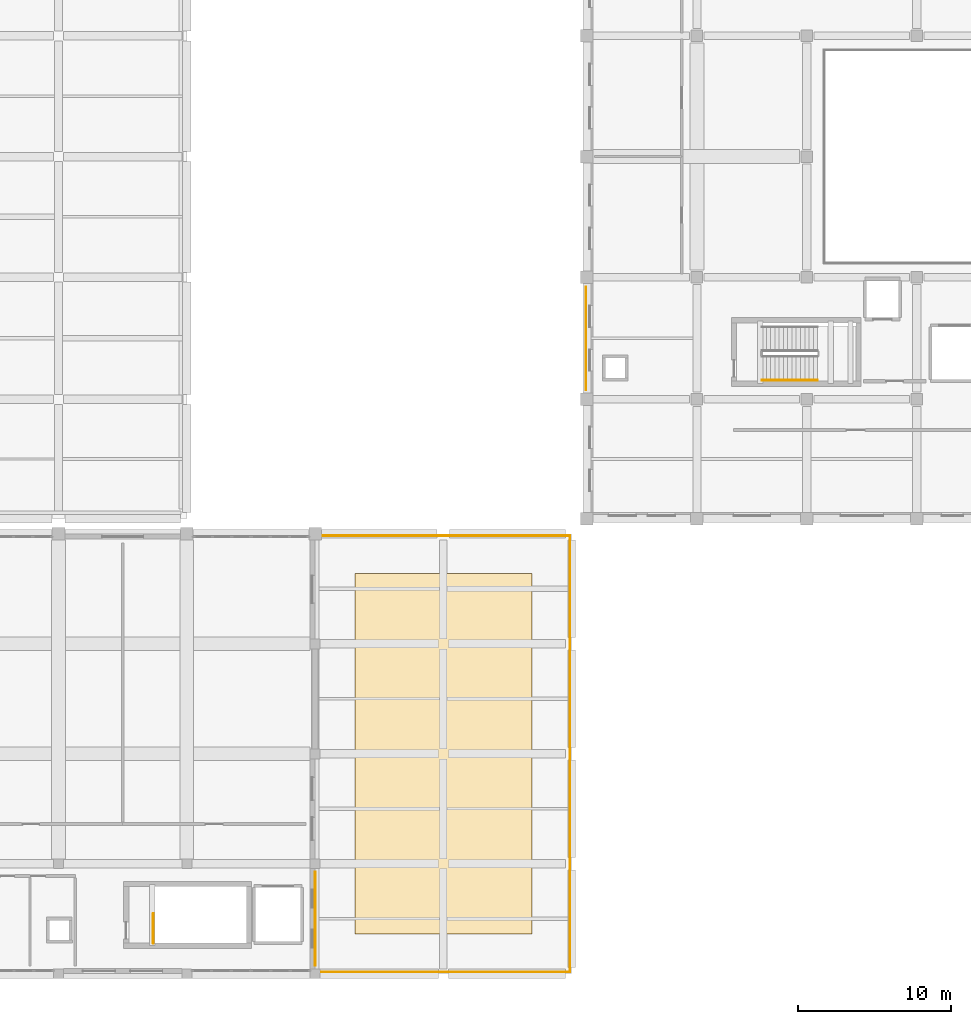
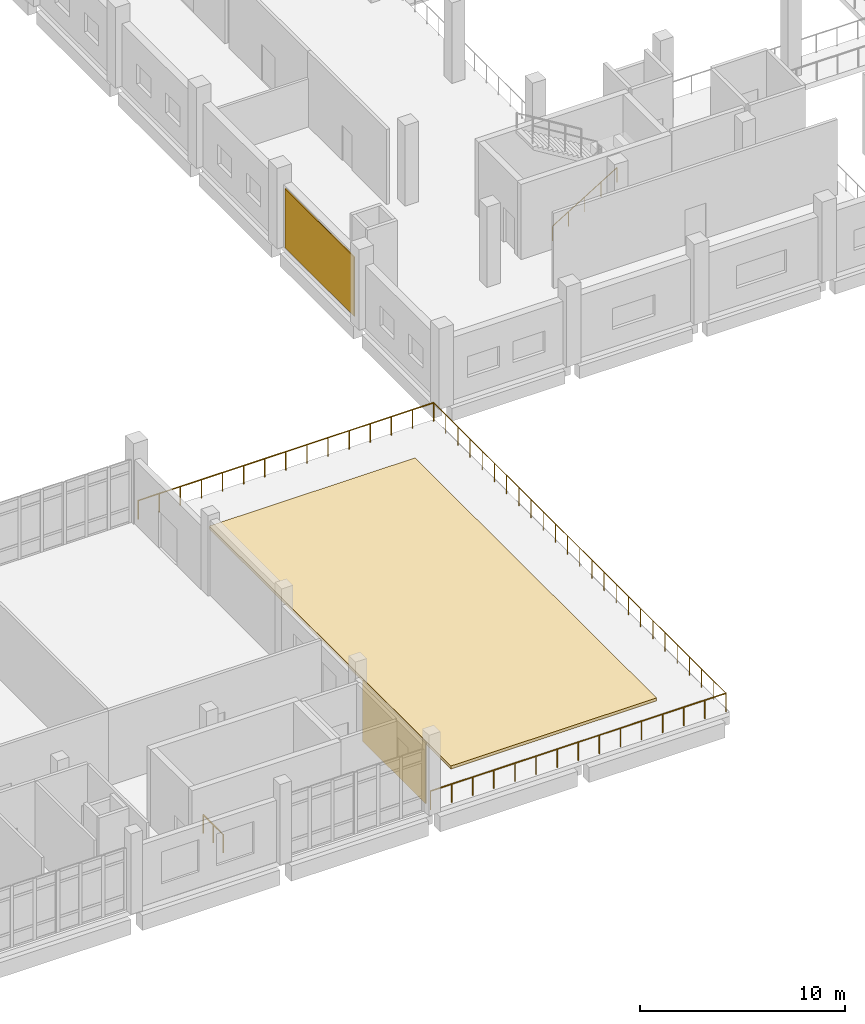
# One storey, part 62 of 73: 5 railings, 3 coverings.
"""IFC4 building model written with IfcOpenShell, lengths in metres."""

from ifc_helpers import new_model, si_unit, direction, frame, origin, origin_2d, place, context, subcontext, project, spatial, polyline, rectangle, circle, outline, extrude, material, layer, layer_set, type_object, element, save


model = new_model("IFC4")

# Units and contexts
model_context = context("Model", 3, precision=1e-05, world=origin(), true_north=direction((0.0, 1.0)))
body_context = subcontext(model_context, "Body", "Model", "MODEL_VIEW")
ifc_project = project(units=[si_unit("LENGTHUNIT", "METRE"), si_unit("AREAUNIT", "SQUARE_METRE"), si_unit("VOLUMEUNIT", "CUBIC_METRE"), si_unit("PLANEANGLEUNIT", "RADIAN"), si_unit("MASSUNIT", "GRAM", prefix="KILO")], contexts=[model_context])

# Site, building, storey
site_placement = place(None, origin())
site = spatial("IfcSite", under=ifc_project, at=site_placement, CompositionType="ELEMENT")
building_placement = place(site_placement, origin())
building = spatial("IfcBuilding", under=site, at=building_placement, Name="Kelarvand Opera House", CompositionType="ELEMENT")
storey_placement = place(building_placement, frame((0.0, 0.0, 10.199951171875)))
storey = spatial("IfcBuildingStorey", under=building, at=storey_placement, Name="L02", CompositionType="ELEMENT", Elevation=10.199951171875)

# Coverings
ifc_material_1 = material(Name="Azarshahr buff travertine stone panels", Category="masonry")
ifc_layer_1 = layer(ifc_material_1, 0.06005859375, Name="Azarshahr buff travertine stone panels", Category="masonry")
ifc_layer_set_1 = layer_set([ifc_layer_1], Name="Azarshahr buff travertine stone panels")
covering_type_1 = type_object("IfcCoveringType", Name="Azarshahr Honed Travertine Rainscreen Cladding 60mm", PredefinedType="CLADDING", material=ifc_layer_set_1)
covering_1_placement = place(storey_placement, frame((51.93408203125, 50.60009765625, 0.10009765625), z_axis=(0.0, 0.0, 1.0), x_axis=(0.0, 1.0, 0.0)))
element("IfcCovering", 1, at=covering_1_placement, inside=storey, type_object=covering_type_1, Name="V2 Travertine Facade Cladding 9", PredefinedType="CLADDING", context=body_context, shape_type="SweptSolid", body=[
    extrude(rectangle(XDim=6.780029296875, YDim=0.06005859375, at=origin_2d()), origin(), (0.0, 0.0, 1.0), 3.52197265625),
])
covering_2_placement = place(storey_placement, frame((34.2060546875, 12.60009765625, 0.10009765625), z_axis=(0.0, 0.0, 1.0), x_axis=(0.0, -1.0, 0.0)))
element("IfcCovering", 2, at=covering_2_placement, inside=storey, type_object=covering_type_1, Name="V4 Travertine Facade Cladding 20", PredefinedType="CLADDING", context=body_context, shape_type="SweptSolid", body=[
    extrude(rectangle(XDim=6.14990234375, YDim=0.06005859375, at=origin_2d()), origin(), (0.0, 0.0, 1.0), 3.6220703125),
])

# Railings
ifc_material_2 = material(Name="Brushed bronze tubular rail")
railing_type_1 = type_object("IfcRailingType", Name="Brushed Bronze Stair Wall Handrail 900", PredefinedType="HANDRAIL", material=ifc_material_2)
railing_1_placement = place(storey_placement, frame((63.4599609375, 47.85009765625, 0.17138671875)))
element("IfcRailing", 3, at=railing_1_placement, inside=storey, type_object=railing_type_1, Name="L02 ST-02 stair handrail 1", PredefinedType="HANDRAIL", context=body_context, shape_type="SweptSolid", body=[
    extrude(circle(Radius=0.02392578125, at=origin_2d()), frame((0.0, 0.0, 0.8759765625), z_axis=(0.852840387347, 0.0, 0.522171689878), x_axis=(0.0, 1.0, 0.0)), (0.0, 0.0, 1.0), 4.268310546875),
    extrude(circle(Radius=0.02099609375, at=origin_2d()), origin(), (0.0, 0.0, 1.0), 0.851806640625),
    extrude(circle(Radius=0.02099609375, at=origin_2d()), frame((0.91015625, 0.0, 0.55712890625)), (0.0, 0.0, 1.0), 0.851806640625),
    extrude(circle(Radius=0.02099609375, at=origin_2d()), frame((1.820068359375, 0.0, 1.1142578125)), (0.0, 0.0, 1.0), 0.851806640625),
    extrude(circle(Radius=0.02099609375, at=origin_2d()), frame((2.72998046875, 0.0, 1.671630859375)), (0.0, 0.0, 1.0), 0.851806640625),
    extrude(circle(Radius=0.02099609375, at=origin_2d()), frame((3.64013671875, 0.0, 2.228759765625)), (0.0, 0.0, 1.0), 0.851806640625),
])
ifc_material_3 = material(Name="Laminated safety glass with bronze cap rail", Category="glass")
railing_type_2 = type_object("IfcRailingType", Name="Laminated Glass and Bronze Foyer Balustrade 1120", PredefinedType="BALUSTRADE", material=ifc_material_3)
railing_2_placement = place(storey_placement, frame((34.219970703125, 9.1201171875, 0.0)))
element("IfcRailing", 4, at=railing_2_placement, inside=storey, type_object=railing_type_2, Name="V4 L02 Balustrade 1", PredefinedType="BALUSTRADE", context=body_context, shape_type="SweptSolid", body=[
    extrude(circle(Radius=0.02392578125, at=origin_2d()), frame((0.0, 0.0, 1.09619140625), z_axis=(1.0, 0.0, 0.0), x_axis=(0.0, 1.0, 0.0)), (0.0, 0.0, 1.0), 16.659912109375),
    extrude(circle(Radius=0.02099609375, at=origin_2d()), origin(), (0.0, 0.0, 1.0), 1.072021484375),
    extrude(circle(Radius=0.02099609375, at=origin_2d()), frame((1.18994140625, 0.0, 0.0)), (0.0, 0.0, 1.0), 1.072021484375),
    extrude(circle(Radius=0.02099609375, at=origin_2d()), frame((2.3798828125, 0.0, 0.0)), (0.0, 0.0, 1.0), 1.072021484375),
    extrude(circle(Radius=0.02099609375, at=origin_2d()), frame((3.570068359375, 0.0, 0.0)), (0.0, 0.0, 1.0), 1.072021484375),
    extrude(circle(Radius=0.02099609375, at=origin_2d()), frame((4.760009765625, 0.0, 0.0)), (0.0, 0.0, 1.0), 1.072021484375),
    extrude(circle(Radius=0.02099609375, at=origin_2d()), frame((5.949951171875, 0.0, 0.0)), (0.0, 0.0, 1.0), 1.072021484375),
    extrude(circle(Radius=0.02099609375, at=origin_2d()), frame((7.139892578125, 0.0, 0.0)), (0.0, 0.0, 1.0), 1.072021484375),
    extrude(circle(Radius=0.02099609375, at=origin_2d()), frame((8.330078125, 0.0, 0.0)), (0.0, 0.0, 1.0), 1.072021484375),
    extrude(circle(Radius=0.02099609375, at=origin_2d()), frame((9.52001953125, 0.0, 0.0)), (0.0, 0.0, 1.0), 1.072021484375),
    extrude(circle(Radius=0.02099609375, at=origin_2d()), frame((10.7099609375, 0.0, 0.0)), (0.0, 0.0, 1.0), 1.072021484375),
    extrude(circle(Radius=0.02099609375, at=origin_2d()), frame((11.89990234375, 0.0, 0.0)), (0.0, 0.0, 1.0), 1.072021484375),
    extrude(circle(Radius=0.02099609375, at=origin_2d()), frame((13.08984375, 0.0, 0.0)), (0.0, 0.0, 1.0), 1.072021484375),
    extrude(circle(Radius=0.02099609375, at=origin_2d()), frame((14.280029296875, 0.0, 0.0)), (0.0, 0.0, 1.0), 1.072021484375),
    extrude(circle(Radius=0.02099609375, at=origin_2d()), frame((15.469970703125, 0.0, 0.0)), (0.0, 0.0, 1.0), 1.072021484375),
    extrude(circle(Radius=0.02099609375, at=origin_2d()), frame((16.659912109375, 0.0, 0.0)), (0.0, 0.0, 1.0), 1.072021484375),
])
railing_3_placement = place(storey_placement, frame((50.8798828125, 9.1201171875, 0.0)))
element("IfcRailing", 5, at=railing_3_placement, inside=storey, type_object=railing_type_2, Name="V4 L02 Balustrade 2", PredefinedType="BALUSTRADE", context=body_context, shape_type="SweptSolid", body=[
    extrude(circle(Radius=0.02392578125, at=origin_2d()), frame((0.0, 0.0, 1.09619140625), z_axis=(0.0, 1.0, 0.0), x_axis=(-1.0, 0.0, 0.0)), (0.0, 0.0, 1.0), 28.559814453125),
    extrude(circle(Radius=0.02099609375, at=origin_2d()), origin(), (0.0, 0.0, 1.0), 1.072021484375),
    extrude(circle(Radius=0.02099609375, at=origin_2d()), frame((0.0, 1.18994140625, 0.0)), (0.0, 0.0, 1.0), 1.072021484375),
    extrude(circle(Radius=0.02099609375, at=origin_2d()), frame((0.0, 2.3798828125, 0.0)), (0.0, 0.0, 1.0), 1.072021484375),
    extrude(circle(Radius=0.02099609375, at=origin_2d()), frame((0.0, 3.570068359375, 0.0)), (0.0, 0.0, 1.0), 1.072021484375),
    extrude(circle(Radius=0.02099609375, at=origin_2d()), frame((0.0, 4.760009765625, 0.0)), (0.0, 0.0, 1.0), 1.072021484375),
    extrude(circle(Radius=0.02099609375, at=origin_2d()), frame((0.0, 5.949951171875, 0.0)), (0.0, 0.0, 1.0), 1.072021484375),
    extrude(circle(Radius=0.02099609375, at=origin_2d()), frame((0.0, 7.139892578125, 0.0)), (0.0, 0.0, 1.0), 1.072021484375),
    extrude(circle(Radius=0.02099609375, at=origin_2d()), frame((0.0, 8.329833984375, 0.0)), (0.0, 0.0, 1.0), 1.072021484375),
    extrude(circle(Radius=0.02099609375, at=origin_2d()), frame((0.0, 9.52001953125, 0.0)), (0.0, 0.0, 1.0), 1.072021484375),
    extrude(circle(Radius=0.02099609375, at=origin_2d()), frame((0.0, 10.7099609375, 0.0)), (0.0, 0.0, 1.0), 1.072021484375),
    extrude(circle(Radius=0.02099609375, at=origin_2d()), frame((0.0, 11.89990234375, 0.0)), (0.0, 0.0, 1.0), 1.072021484375),
    extrude(circle(Radius=0.02099609375, at=origin_2d()), frame((0.0, 13.08984375, 0.0)), (0.0, 0.0, 1.0), 1.072021484375),
    extrude(circle(Radius=0.02099609375, at=origin_2d()), frame((0.0, 14.27978515625, 0.0)), (0.0, 0.0, 1.0), 1.072021484375),
    extrude(circle(Radius=0.02099609375, at=origin_2d()), frame((0.0, 15.469970703125, 0.0)), (0.0, 0.0, 1.0), 1.072021484375),
    extrude(circle(Radius=0.02099609375, at=origin_2d()), frame((0.0, 16.659912109375, 0.0)), (0.0, 0.0, 1.0), 1.072021484375),
    extrude(circle(Radius=0.02099609375, at=origin_2d()), frame((0.0, 17.849853515625, 0.0)), (0.0, 0.0, 1.0), 1.072021484375),
    extrude(circle(Radius=0.02099609375, at=origin_2d()), frame((0.0, 19.039794921875, 0.0)), (0.0, 0.0, 1.0), 1.072021484375),
    extrude(circle(Radius=0.02099609375, at=origin_2d()), frame((0.0, 20.22998046875, 0.0)), (0.0, 0.0, 1.0), 1.072021484375),
    extrude(circle(Radius=0.02099609375, at=origin_2d()), frame((0.0, 21.419921875, 0.0)), (0.0, 0.0, 1.0), 1.072021484375),
    extrude(circle(Radius=0.02099609375, at=origin_2d()), frame((0.0, 22.60986328125, 0.0)), (0.0, 0.0, 1.0), 1.072021484375),
    extrude(circle(Radius=0.02099609375, at=origin_2d()), frame((0.0, 23.7998046875, 0.0)), (0.0, 0.0, 1.0), 1.072021484375),
    extrude(circle(Radius=0.02099609375, at=origin_2d()), frame((0.0, 24.98974609375, 0.0)), (0.0, 0.0, 1.0), 1.072021484375),
    extrude(circle(Radius=0.02099609375, at=origin_2d()), frame((0.0, 26.179931640625, 0.0)), (0.0, 0.0, 1.0), 1.072021484375),
    extrude(circle(Radius=0.02099609375, at=origin_2d()), frame((0.0, 27.369873046875, 0.0)), (0.0, 0.0, 1.0), 1.072021484375),
    extrude(circle(Radius=0.02099609375, at=origin_2d()), frame((0.0, 28.559814453125, 0.0)), (0.0, 0.0, 1.0), 1.072021484375),
])
railing_4_placement = place(storey_placement, frame((50.8798828125, 37.679931640625, 0.0)))
element("IfcRailing", 6, at=railing_4_placement, inside=storey, type_object=railing_type_2, Name="V4 L02 Balustrade 3", PredefinedType="BALUSTRADE", context=body_context, shape_type="SweptSolid", body=[
    extrude(circle(Radius=0.02392578125, at=origin_2d()), frame((0.0, 0.0, 1.09619140625), z_axis=(-1.0, 0.0, 0.0), x_axis=(0.0, -1.0, 0.0)), (0.0, 0.0, 1.0), 16.659912109375),
    extrude(circle(Radius=0.02099609375, at=origin_2d()), origin(), (0.0, 0.0, 1.0), 1.072021484375),
    extrude(circle(Radius=0.02099609375, at=origin_2d()), frame((-1.18994140625, 0.0, 0.0)), (0.0, 0.0, 1.0), 1.072021484375),
    extrude(circle(Radius=0.02099609375, at=origin_2d()), frame((-2.3798828125, 0.0, 0.0)), (0.0, 0.0, 1.0), 1.072021484375),
    extrude(circle(Radius=0.02099609375, at=origin_2d()), frame((-3.570068359375, 0.0, 0.0)), (0.0, 0.0, 1.0), 1.072021484375),
    extrude(circle(Radius=0.02099609375, at=origin_2d()), frame((-4.760009765625, 0.0, 0.0)), (0.0, 0.0, 1.0), 1.072021484375),
    extrude(circle(Radius=0.02099609375, at=origin_2d()), frame((-5.949951171875, 0.0, 0.0)), (0.0, 0.0, 1.0), 1.072021484375),
    extrude(circle(Radius=0.02099609375, at=origin_2d()), frame((-7.139892578125, 0.0, 0.0)), (0.0, 0.0, 1.0), 1.072021484375),
    extrude(circle(Radius=0.02099609375, at=origin_2d()), frame((-8.330078125, 0.0, 0.0)), (0.0, 0.0, 1.0), 1.072021484375),
    extrude(circle(Radius=0.02099609375, at=origin_2d()), frame((-9.52001953125, 0.0, 0.0)), (0.0, 0.0, 1.0), 1.072021484375),
    extrude(circle(Radius=0.02099609375, at=origin_2d()), frame((-10.7099609375, 0.0, 0.0)), (0.0, 0.0, 1.0), 1.072021484375),
    extrude(circle(Radius=0.02099609375, at=origin_2d()), frame((-11.89990234375, 0.0, 0.0)), (0.0, 0.0, 1.0), 1.072021484375),
    extrude(circle(Radius=0.02099609375, at=origin_2d()), frame((-13.08984375, 0.0, 0.0)), (0.0, 0.0, 1.0), 1.072021484375),
    extrude(circle(Radius=0.02099609375, at=origin_2d()), frame((-14.280029296875, 0.0, 0.0)), (0.0, 0.0, 1.0), 1.072021484375),
    extrude(circle(Radius=0.02099609375, at=origin_2d()), frame((-15.469970703125, 0.0, 0.0)), (0.0, 0.0, 1.0), 1.072021484375),
    extrude(circle(Radius=0.02099609375, at=origin_2d()), frame((-16.659912109375, 0.0, 0.0)), (0.0, 0.0, 1.0), 1.072021484375),
])
ifc_material_4 = material(Name="Powder-coated Steel S355", Category="steel")
railing_type_3 = type_object("IfcRailingType", Name="Painted Steel Stair and Void Guardrail 1100", PredefinedType="GUARDRAIL", material=ifc_material_4)
railing_5_placement = place(storey_placement, frame((23.610107421875, 11.0, 0.0)))
element("IfcRailing", 7, at=railing_5_placement, inside=storey, type_object=railing_type_3, Name="L02 ST-06 top well guard 1", PredefinedType="GUARDRAIL", context=body_context, shape_type="SweptSolid", body=[
    extrude(circle(Radius=0.02392578125, at=origin_2d()), frame((0.0, 0.0, 1.076171875), z_axis=(0.0, 1.0, 0.0), x_axis=(-1.0, 0.0, 0.0)), (0.0, 0.0, 1.0), 1.93994140625),
    extrude(circle(Radius=0.02099609375, at=origin_2d()), origin(), (0.0, 0.0, 1.0), 1.052001953125),
    extrude(circle(Radius=0.02099609375, at=origin_2d()), frame((0.0, 0.969970703125, 0.0)), (0.0, 0.0, 1.0), 1.052001953125),
    extrude(circle(Radius=0.02099609375, at=origin_2d()), frame((0.0, 1.93994140625, 0.0)), (0.0, 0.0, 1.0), 1.052001953125),
])

# Covering
ifc_material_5 = material(Name="Extensive drought-tolerant roof-garden substrate")
ifc_layer_2 = layer(ifc_material_5, 0.179931640625, Name="Extensive drought-tolerant roof-garden substrate")
ifc_layer_set_2 = layer_set([ifc_layer_2], Name="Extensive drought-tolerant roof-garden substrate")
covering_type_2 = type_object("IfcCoveringType", Name="Planted Chaharbagh Roof-Garden Substrate Covering 180mm", PredefinedType="ROOFING", material=ifc_layer_set_2)
covering_3_placement = place(storey_placement, origin())
element("IfcCovering", 8, at=covering_3_placement, inside=storey, type_object=covering_type_2, Name="V4 L02 Planted Roof Garden Bed 3", PredefinedType="ROOFING", context=body_context, shape_type="SweptSolid", body=[
    extrude(outline(polyline([(36.800048828125, 11.60009765625), (48.39990234375, 11.60009765625), (48.39990234375, 35.199951171875), (36.800048828125, 35.199951171875), (36.800048828125, 11.60009765625)])), origin(), (0.0, 0.0, 1.0), 0.179931640625),
])

save(model, "model.ifc")
